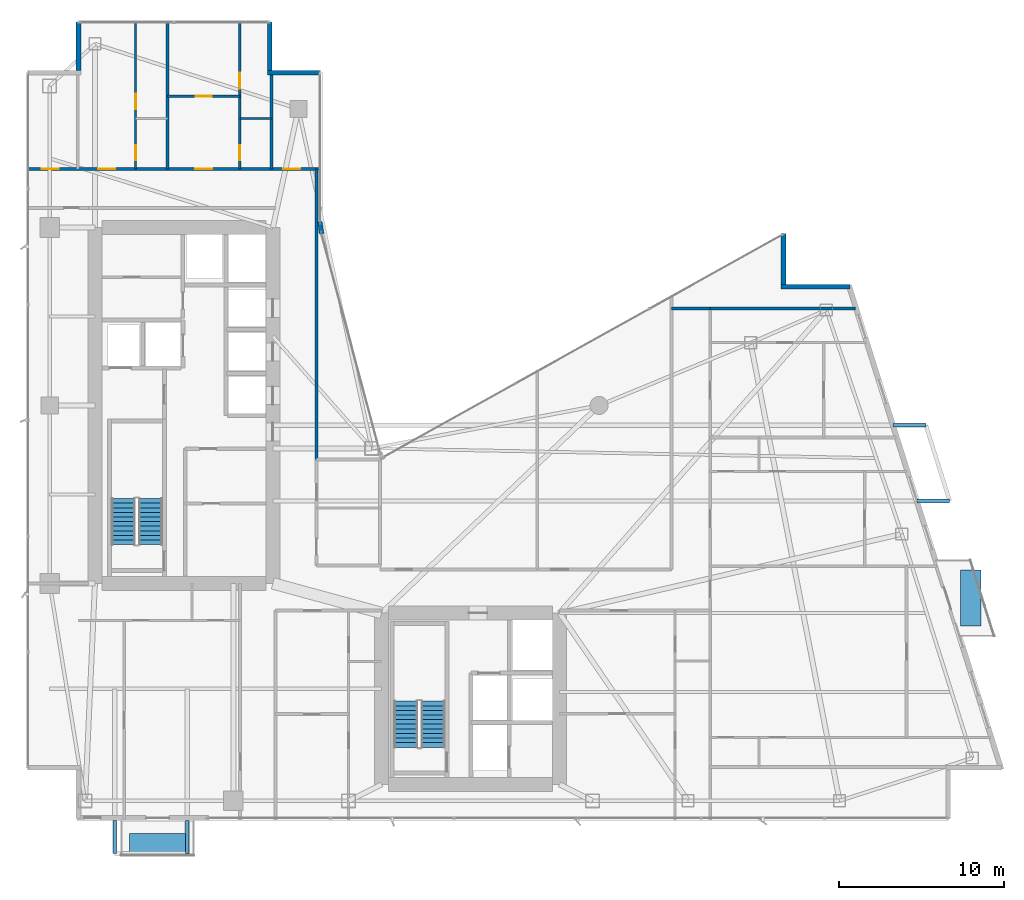
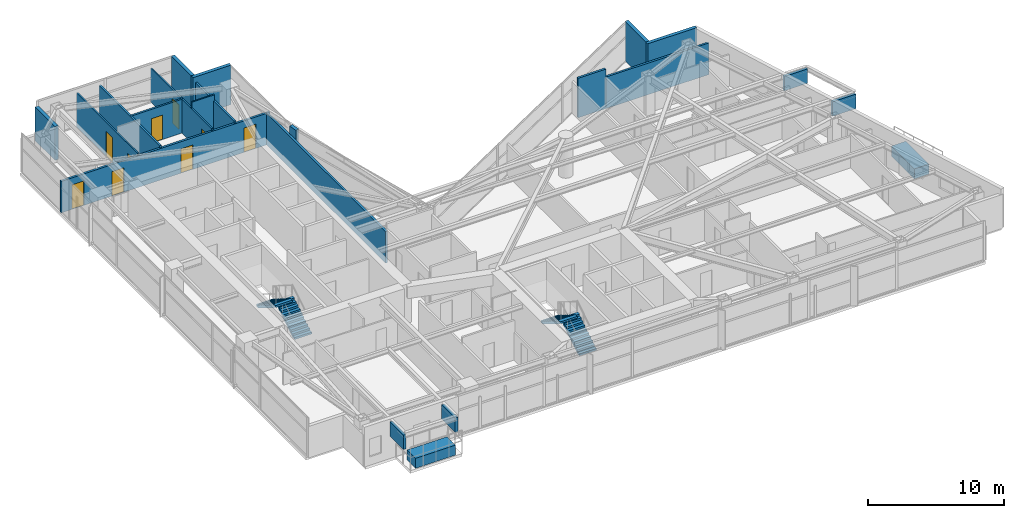
# One storey, part 25 of 28: 16 walls, 9 doors, 6 discrete accessories, 4 stair flights, 9 openings, 2 elements without a shape of their own.
"""IFC4 building model written with IfcOpenShell, lengths in metres."""

from ifc_helpers import new_model, si_unit, direction, frame, frame_2d, origin, origin_2d, place, context, subcontext, project, spatial, polyline, rectangle, outline, extrude, material, layer, layer_set, type_object, element, fill, aggregate, save


model = new_model("IFC4")

# Units and contexts
model_context = context("Model", 3, precision=1e-05, world=origin(), true_north=direction((0.0, 1.0)))
body_context = subcontext(model_context, "Body", "Model", "MODEL_VIEW")
ifc_project = project(units=[si_unit("LENGTHUNIT", "METRE"), si_unit("AREAUNIT", "SQUARE_METRE"), si_unit("VOLUMEUNIT", "CUBIC_METRE"), si_unit("PLANEANGLEUNIT", "RADIAN"), si_unit("MASSUNIT", "GRAM", prefix="KILO")], contexts=[model_context])

# Site, building, storey
site_placement = place(None, origin())
site = spatial("IfcSite", under=ifc_project, at=site_placement, CompositionType="ELEMENT")
building_placement = place(site_placement, origin())
building = spatial("IfcBuilding", under=site, at=building_placement, Name="Calvorn Quay Hotel", CompositionType="ELEMENT")
storey_placement = place(building_placement, frame((0.0, 0.0, 131.60009765625)))
storey = spatial("IfcBuildingStorey", under=building, at=storey_placement, Name="L32", CompositionType="ELEMENT", Elevation=131.60009765625)

# Wall, openings, doors
ifc_material_1 = material(Name="Acoustic Fireboard Steel-Stud Partition", Category="steel")
ifc_layer_1 = layer(ifc_material_1, 0.179931640625)
ifc_layer_set_1 = layer_set([ifc_layer_1], Name="WL-CORR-FIRE-180")
wall_type_1 = type_object("IfcWallType", Name="WL-CORR-FIRE-180", PredefinedType="PARTITIONING", material=ifc_layer_set_1)
wall_1_placement = place(storey_placement, frame((0.080078125, 41.949951171875, 0.0), z_axis=(0.0, 0.0, 1.0), x_axis=(1.0, 0.0, 0.0)))
wall_1 = element("IfcWall", 1, at=wall_1_placement, inside=storey, type_object=wall_type_1, Name="Partition Wall L32-WL-CORR-NW-N", PredefinedType="PARTITIONING", context=body_context, shape_type="SweptSolid", body=[
    extrude(rectangle(XDim=17.77001953125, YDim=0.179931640625, at=frame_2d((8.885009765625, 0.0))), origin(), (0.0, 0.0, 1.0), 2.83984375),
])
opening_1_placement = place(wall_1_placement, frame((0.89990234375, 0.0, 0.0)))
opening_1 = element("IfcOpeningElement", 2, at=opening_1_placement, cuts=wall_1, Name="Opening D-L32-NWW", PredefinedType="OPENING", context=body_context, shape_type="SweptSolid", body=[
    extrude(rectangle(XDim=1.02001953125, YDim=2.199951171875, at=frame_2d((0.510009765625, 1.10009765625))), frame((0.0, 0.099853515625, 0.0), z_axis=(0.0, -1.0, 0.0), x_axis=(1.0, 0.0, 0.0)), (0.0, 0.0, 1.0), 0.199951171875),
])
opening_2_placement = place(wall_1_placement, frame((4.320068359375, 0.0, 0.0)))
opening_2 = element("IfcOpeningElement", 3, at=opening_2_placement, cuts=wall_1, Name="Opening D-L32-U03", PredefinedType="OPENING", context=body_context, shape_type="SweptSolid", body=[
    extrude(rectangle(XDim=1.02001953125, YDim=2.199951171875, at=frame_2d((0.510009765625, 1.10009765625))), frame((0.0, 0.099853515625, 0.0), z_axis=(0.0, -1.0, 0.0), x_axis=(1.0, 0.0, 0.0)), (0.0, 0.0, 1.0), 0.199951171875),
])
opening_3_placement = place(wall_1_placement, frame((10.2099609375, 0.0, 0.0)))
opening_3 = element("IfcOpeningElement", 4, at=opening_3_placement, cuts=wall_1, Name="Opening D-L32-U04", PredefinedType="OPENING", context=body_context, shape_type="SweptSolid", body=[
    extrude(rectangle(XDim=1.02001953125, YDim=2.199951171875, at=frame_2d((0.510009765625, 1.10009765625))), frame((0.0, 0.099853515625, 0.0), z_axis=(0.0, -1.0, 0.0), x_axis=(1.0, 0.0, 0.0)), (0.0, 0.0, 1.0), 0.199951171875),
])
opening_4_placement = place(wall_1_placement, frame((15.550048828125, 0.0, 0.0)))
opening_4 = element("IfcOpeningElement", 5, at=opening_4_placement, cuts=wall_1, Name="Opening D-L32-NWE", PredefinedType="OPENING", context=body_context, shape_type="SweptSolid", body=[
    extrude(rectangle(XDim=1.02001953125, YDim=2.199951171875, at=frame_2d((0.510009765625, 1.10009765625))), frame((0.0, 0.099853515625, 0.0), z_axis=(0.0, -1.0, 0.0), x_axis=(1.0, 0.0, 0.0)), (0.0, 0.0, 1.0), 0.199951171875),
])
ifc_material_2 = material(Name="Solid-Core Walnut Veneer Hotel Fire Door")
door_type_1 = type_object("IfcDoorType", Name="DR-GUEST-ENTRY-1020", OperationType="NOTDEFINED", PredefinedType="DOOR", material=ifc_material_2)
door_1_placement = place(opening_1_placement, origin())
door_1 = element("IfcDoor", 6, at=door_1_placement, inside=storey, type_object=door_type_1, Name="West Corner Study Door (L32)", OperationType="SINGLE_SWING_LEFT", OverallHeight=2.199951171875, OverallWidth=1.02001953125, PredefinedType="DOOR", context=body_context, shape_type="SweptSolid", body=[
    extrude(rectangle(XDim=1.02001953125, YDim=2.199951171875, at=frame_2d((0.510009765625, 1.10009765625))), frame((0.0, 0.02490234375, 0.0), z_axis=(0.0, -1.0, 0.0), x_axis=(1.0, 0.0, 0.0)), (0.0, 0.0, 1.0), 0.050048828125),
])
fill(opening_1, door_1)
door_2_placement = place(opening_2_placement, origin())
door_2 = element("IfcDoor", 7, at=door_2_placement, inside=storey, type_object=door_type_1, Name="North-West Unit Door U03 (L32)", OperationType="SINGLE_SWING_RIGHT", OverallHeight=2.199951171875, OverallWidth=1.02001953125, PredefinedType="DOOR", context=body_context, shape_type="SweptSolid", body=[
    extrude(rectangle(XDim=1.02001953125, YDim=2.199951171875, at=frame_2d((0.510009765625, 1.10009765625))), frame((0.0, 0.02490234375, 0.0), z_axis=(0.0, -1.0, 0.0), x_axis=(1.0, 0.0, 0.0)), (0.0, 0.0, 1.0), 0.050048828125),
])
fill(opening_2, door_2)
door_3_placement = place(opening_3_placement, origin())
door_3 = element("IfcDoor", 8, at=door_3_placement, inside=storey, type_object=door_type_1, Name="North-West Unit Door U04 (L32)", OperationType="SINGLE_SWING_LEFT", OverallHeight=2.199951171875, OverallWidth=1.02001953125, PredefinedType="DOOR", context=body_context, shape_type="SweptSolid", body=[
    extrude(rectangle(XDim=1.02001953125, YDim=2.199951171875, at=frame_2d((0.510009765625, 1.10009765625))), frame((0.0, 0.02490234375, 0.0), z_axis=(0.0, -1.0, 0.0), x_axis=(1.0, 0.0, 0.0)), (0.0, 0.0, 1.0), 0.050048828125),
])
fill(opening_3, door_3)
door_4_placement = place(opening_4_placement, origin())
door_4 = element("IfcDoor", 9, at=door_4_placement, inside=storey, type_object=door_type_1, Name="Inner Court Study Door (L32)", OperationType="SINGLE_SWING_RIGHT", OverallHeight=2.199951171875, OverallWidth=1.02001953125, PredefinedType="DOOR", context=body_context, shape_type="SweptSolid", body=[
    extrude(rectangle(XDim=1.02001953125, YDim=2.199951171875, at=frame_2d((0.510009765625, 1.10009765625))), frame((0.0, 0.02490234375, 0.0), z_axis=(0.0, -1.0, 0.0), x_axis=(1.0, 0.0, 0.0)), (0.0, 0.0, 1.0), 0.050048828125),
])
fill(opening_4, door_4)

# Walls
wall_2_placement = place(storey_placement, frame((17.64990234375, 24.300048828125, 0.0), z_axis=(0.0, 0.0, 1.0), x_axis=(0.0, 1.0, 0.0)))
element("IfcWall", 10, at=wall_2_placement, inside=storey, type_object=wall_type_1, Name="Partition Wall L32-WL-NW-CLOSURE-E", PredefinedType="PARTITIONING", context=body_context, shape_type="SweptSolid", body=[
    extrude(rectangle(XDim=17.64990234375, YDim=0.179931640625, at=frame_2d((8.824951171875, 0.0))), origin(), (0.0, 0.0, 1.0), 2.83984375),
])
wall_3_placement = place(storey_placement, frame((41.550048828125, 33.47998046875, 0.0), z_axis=(0.0, 0.0, 1.0), x_axis=(1.0, 0.0, 0.0)))
element("IfcWall", 11, at=wall_3_placement, inside=storey, type_object=wall_type_1, Name="Partition Wall L32-WL-TIP-N", PredefinedType="PARTITIONING", context=body_context, shape_type="SweptSolid", body=[
    extrude(rectangle(XDim=8.81005859375, YDim=0.179931640625, at=frame_2d((4.405029296875, 0.0))), origin(), (0.0, 0.0, 1.0), 2.83984375),
])
wall_4_placement = place(storey_placement, frame((39.199951171875, 33.47998046875, 0.0), z_axis=(0.0, 0.0, 1.0), x_axis=(1.0, 0.0, 0.0)))
element("IfcWall", 12, at=wall_4_placement, inside=storey, type_object=wall_type_1, Name="Partition Wall L32-WL-CORR-TIP-NN", PredefinedType="PARTITIONING", context=body_context, shape_type="SweptSolid", body=[
    extrude(rectangle(XDim=2.35009765625, YDim=0.179931640625, at=frame_2d((1.175048828125, 0.0))), origin(), (0.0, 0.0, 1.0), 3.559814453125),
])

# Wall, openings, doors
ifc_material_3 = material(Name="Moisture-Resistant Tile-Backed Partition")
ifc_layer_2 = layer(ifc_material_3, 0.125)
ifc_layer_set_2 = layer_set([ifc_layer_2], Name="WL-ENSUITE-125")
wall_type_2 = type_object("IfcWallType", Name="WL-ENSUITE-125", PredefinedType="PARTITIONING", material=ifc_layer_set_2)
wall_5_placement = place(storey_placement, frame((6.669921875, 41.949951171875, 0.0), z_axis=(0.0, 0.0, 1.0), x_axis=(0.0, 1.0, 0.0)))
wall_5 = element("IfcWall", 13, at=wall_5_placement, inside=storey, type_object=wall_type_2, Name="Partition Wall L32-WL-U03-BV", PredefinedType="PARTITIONING", context=body_context, shape_type="SweptSolid", body=[
    extrude(rectangle(XDim=8.989990234375, YDim=0.125, at=frame_2d((4.4951171875, 0.0))), origin(), (0.0, 0.0, 1.0), 3.039794921875),
])
opening_5_placement = place(wall_5_placement, frame((0.550048828125, 0.0, 0.0)))
opening_5 = element("IfcOpeningElement", 14, at=opening_5_placement, cuts=wall_5, Name="Opening D-L32-E03", PredefinedType="OPENING", context=body_context, shape_type="SweptSolid", body=[
    extrude(rectangle(XDim=0.89990234375, YDim=2.14990234375, at=frame_2d((0.449951171875, 1.074951171875))), frame((0.0, 0.072509765625, 0.0), z_axis=(0.0, -1.0, 0.0), x_axis=(1.0, 0.0, 0.0)), (0.0, 0.0, 1.0), 0.14501953125),
])
opening_6_placement = place(wall_5_placement, frame((3.6201171875, 0.0, 0.0)))
opening_6 = element("IfcOpeningElement", 15, at=opening_6_placement, cuts=wall_5, Name="Opening D-L32-S03", PredefinedType="OPENING", context=body_context, shape_type="SweptSolid", body=[
    extrude(rectangle(XDim=0.9599609375, YDim=2.199951171875, at=frame_2d((0.47998046875, 1.10009765625))), frame((0.0, 0.072509765625, 0.0), z_axis=(0.0, -1.0, 0.0), x_axis=(1.0, 0.0, 0.0)), (0.0, 0.0, 1.0), 0.14501953125),
])
ifc_material_4 = material(Name="Moisture-Sealed Timber En-Suite Door", Category="wood")
door_type_2 = type_object("IfcDoorType", Name="DR-ENSUITE-900", OperationType="NOTDEFINED", PredefinedType="DOOR", material=ifc_material_4)
door_5_placement = place(opening_5_placement, origin())
door_5 = element("IfcDoor", 16, at=door_5_placement, inside=storey, type_object=door_type_2, Name="En-Suite Door 03", OperationType="SINGLE_SWING_LEFT", OverallHeight=2.14990234375, OverallWidth=0.89990234375, PredefinedType="DOOR", context=body_context, shape_type="SweptSolid", body=[
    extrude(rectangle(XDim=0.89990234375, YDim=2.14990234375, at=frame_2d((0.449951171875, 1.074951171875))), frame((0.0, 0.02490234375, 0.0), z_axis=(0.0, -1.0, 0.0), x_axis=(1.0, 0.0, 0.0)), (0.0, 0.0, 1.0), 0.050048828125),
])
fill(opening_5, door_5)
ifc_material_5 = material(Name="Solid Timber Internal Suite Door", Category="wood")
door_type_3 = type_object("IfcDoorType", Name="DR-SUITE-INT-960", OperationType="NOTDEFINED", PredefinedType="DOOR", material=ifc_material_5)
door_6_placement = place(opening_6_placement, origin())
door_6 = element("IfcDoor", 17, at=door_6_placement, inside=storey, type_object=door_type_3, Name="Walk-In Wardrobe Door 03", OperationType="SINGLE_SWING_RIGHT", OverallHeight=2.199951171875, OverallWidth=0.9599609375, PredefinedType="DOOR", context=body_context, shape_type="SweptSolid", body=[
    extrude(rectangle(XDim=0.9599609375, YDim=2.199951171875, at=frame_2d((0.47998046875, 1.10009765625))), frame((0.0, 0.02490234375, 0.0), z_axis=(0.0, -1.0, 0.0), x_axis=(1.0, 0.0, 0.0)), (0.0, 0.0, 1.0), 0.050048828125),
])
fill(opening_6, door_6)

# Wall
wall_6_placement = place(storey_placement, frame((12.989990234375, 45.02001953125, 0.0), z_axis=(0.0, 0.0, 1.0), x_axis=(1.0, 0.0, 0.0)))
element("IfcWall", 18, at=wall_6_placement, inside=storey, type_object=wall_type_2, Name="Partition Wall L32-WL-U04-BDV", PredefinedType="PARTITIONING", context=body_context, shape_type="SweptSolid", body=[
    extrude(rectangle(XDim=1.929931640625, YDim=0.125, at=frame_2d((0.96484375, 0.0))), origin(), (0.0, 0.0, 1.0), 3.559814453125),
])

# Wall, openings, doors
wall_7_placement = place(storey_placement, frame((12.989990234375, 41.949951171875, 0.0), z_axis=(0.0, 0.0, 1.0), x_axis=(0.0, 1.0, 0.0)))
wall_7 = element("IfcWall", 19, at=wall_7_placement, inside=storey, type_object=wall_type_2, Name="Partition Wall L32-WL-U04-BV", PredefinedType="PARTITIONING", context=body_context, shape_type="SweptSolid", body=[
    extrude(rectangle(XDim=8.989990234375, YDim=0.125, at=frame_2d((4.4951171875, 0.0))), origin(), (0.0, 0.0, 1.0), 3.039794921875),
])
opening_7_placement = place(wall_7_placement, frame((0.550048828125, 0.0, 0.0)))
opening_7 = element("IfcOpeningElement", 20, at=opening_7_placement, cuts=wall_7, Name="Opening D-L32-E04", PredefinedType="OPENING", context=body_context, shape_type="SweptSolid", body=[
    extrude(rectangle(XDim=0.89990234375, YDim=2.14990234375, at=frame_2d((0.449951171875, 1.074951171875))), frame((0.0, 0.072509765625, 0.0), z_axis=(0.0, -1.0, 0.0), x_axis=(1.0, 0.0, 0.0)), (0.0, 0.0, 1.0), 0.14501953125),
])
opening_8_placement = place(wall_7_placement, frame((4.8798828125, 0.0, 0.0)))
opening_8 = element("IfcOpeningElement", 21, at=opening_8_placement, cuts=wall_7, Name="Opening D-L32-S04", PredefinedType="OPENING", context=body_context, shape_type="SweptSolid", body=[
    extrude(rectangle(XDim=0.9599609375, YDim=2.199951171875, at=frame_2d((0.47998046875, 1.10009765625))), frame((0.0, 0.072509765625, 0.0), z_axis=(0.0, -1.0, 0.0), x_axis=(1.0, 0.0, 0.0)), (0.0, 0.0, 1.0), 0.14501953125),
])
door_7_placement = place(opening_7_placement, origin())
door_7 = element("IfcDoor", 22, at=door_7_placement, inside=storey, type_object=door_type_2, Name="En-Suite Door 04", OperationType="SINGLE_SWING_LEFT", OverallHeight=2.14990234375, OverallWidth=0.89990234375, PredefinedType="DOOR", context=body_context, shape_type="SweptSolid", body=[
    extrude(rectangle(XDim=0.89990234375, YDim=2.14990234375, at=frame_2d((0.449951171875, 1.074951171875))), frame((0.0, 0.02490234375, 0.0), z_axis=(0.0, -1.0, 0.0), x_axis=(1.0, 0.0, 0.0)), (0.0, 0.0, 1.0), 0.050048828125),
])
fill(opening_7, door_7)
door_8_placement = place(opening_8_placement, origin())
door_8 = element("IfcDoor", 23, at=door_8_placement, inside=storey, type_object=door_type_3, Name="Walk-In Wardrobe Door 04", OperationType="SINGLE_SWING_RIGHT", OverallHeight=2.199951171875, OverallWidth=0.9599609375, PredefinedType="DOOR", context=body_context, shape_type="SweptSolid", body=[
    extrude(rectangle(XDim=0.9599609375, YDim=2.199951171875, at=frame_2d((0.47998046875, 1.10009765625))), frame((0.0, 0.02490234375, 0.0), z_axis=(0.0, -1.0, 0.0), x_axis=(1.0, 0.0, 0.0)), (0.0, 0.0, 1.0), 0.050048828125),
])
fill(opening_8, door_8)

# Walls
ifc_material_6 = material(Name="Concrete C40", Category="concrete")
ifc_layer_3 = layer(ifc_material_6, 0.320068359375)
ifc_layer_set_3 = layer_set([ifc_layer_3], Name="WL-EXT-SPANDREL-320")
wall_type_3 = type_object("IfcWallType", Name="WL-EXT-SPANDREL-320", PredefinedType="SOLIDWALL", material=ifc_layer_set_3)
wall_8_placement = place(storey_placement, frame((17.9619140625, 38.030029296875, 0.0), z_axis=(0.0, 0.0, 1.0), x_axis=(-0.15141125477, 0.988470855377, 0.0)))
element("IfcWall", 24, at=wall_8_placement, inside=storey, type_object=wall_type_3, Name="Inner Court Corner Pier L32-ICJ2", PredefinedType="SOLIDWALL", context=body_context, shape_type="SweptSolid", body=[
    extrude(rectangle(XDim=0.738525390625, YDim=0.280029296875, at=frame_2d((0.369140625, 0.0))), origin(), (0.0, 0.0, 1.0), 3.559814453125),
])
wall_9_placement = place(storey_placement, frame((50.0400390625, 34.800048828125, 0.0), z_axis=(0.0, 0.0, 1.0), x_axis=(-1.0, 0.0, 0.0)))
element("IfcWall", 25, at=wall_9_placement, inside=storey, type_object=wall_type_3, Name="Notched Corner Spandrel L32-NE1", PredefinedType="SOLIDWALL", context=body_context, shape_type="SweptSolid", body=[
    extrude(rectangle(XDim=4.179931640625, YDim=0.280029296875, at=frame_2d((2.08984375, 0.0))), origin(), (0.0, 0.0, 1.0), 3.559814453125),
])
wall_10_placement = place(storey_placement, frame((46.0, 34.93994140625, 0.0), z_axis=(0.0, 0.0, 1.0), x_axis=(0.0, 1.0, 0.0)))
element("IfcWall", 26, at=wall_10_placement, inside=storey, type_object=wall_type_3, Name="Notched Corner Spandrel L32-NE2", PredefinedType="SOLIDWALL", context=body_context, shape_type="SweptSolid", body=[
    extrude(rectangle(XDim=3.10009765625, YDim=0.280029296875, at=frame_2d((1.550048828125, 0.0))), origin(), (0.0, 0.0, 1.0), 3.559814453125),
])
wall_11_placement = place(storey_placement, frame((17.89990234375, 47.800048828125, 0.0), z_axis=(0.0, 0.0, 1.0), x_axis=(-1.0, 0.0, 0.0)))
element("IfcWall", 27, at=wall_11_placement, inside=storey, type_object=wall_type_3, Name="Notched Corner Spandrel L32-NWE1", PredefinedType="SOLIDWALL", context=body_context, shape_type="SweptSolid", body=[
    extrude(rectangle(XDim=3.239990234375, YDim=0.280029296875, at=frame_2d((1.6201171875, 0.0))), origin(), (0.0, 0.0, 1.0), 3.559814453125),
])
wall_12_placement = place(storey_placement, frame((14.800048828125, 47.93994140625, 0.0), z_axis=(0.0, 0.0, 1.0), x_axis=(0.0, 1.0, 0.0)))
element("IfcWall", 28, at=wall_12_placement, inside=storey, type_object=wall_type_3, Name="Notched Corner Spandrel L32-NWE2", PredefinedType="SOLIDWALL", context=body_context, shape_type="SweptSolid", body=[
    extrude(rectangle(XDim=2.93994140625, YDim=0.280029296875, at=frame_2d((1.469970703125, 0.0))), origin(), (0.0, 0.0, 1.0), 3.559814453125),
])
wall_13_placement = place(storey_placement, frame((3.199951171875, 50.8798828125, 0.0), z_axis=(0.0, 0.0, 1.0), x_axis=(0.0, -1.0, 0.0)))
element("IfcWall", 29, at=wall_13_placement, inside=storey, type_object=wall_type_3, Name="Notched Corner Spandrel L32-NW1", PredefinedType="SOLIDWALL", context=body_context, shape_type="SweptSolid", body=[
    extrude(rectangle(XDim=2.93994140625, YDim=0.280029296875, at=frame_2d((1.469970703125, 0.0))), origin(), (0.0, 0.0, 1.0), 3.039794921875),
])
ifc_material_7 = material(Name="Double-Stud Acoustic Gypsum Partition")
ifc_layer_4 = layer(ifc_material_7, 0.159912109375)
ifc_layer_set_4 = layer_set([ifc_layer_4], Name="WL-INTERSUITE-160")
wall_type_4 = type_object("IfcWallType", Name="WL-INTERSUITE-160", PredefinedType="PARTITIONING", material=ifc_layer_set_4)
wall_14_placement = place(storey_placement, frame((14.919921875, 41.949951171875, 0.0), z_axis=(0.0, 0.0, 1.0), x_axis=(0.0, 1.0, 0.0)))
element("IfcWall", 30, at=wall_14_placement, inside=storey, type_object=wall_type_4, Name="Partition Wall L32-WL-NW-DIV-E0", PredefinedType="PARTITIONING", context=body_context, shape_type="SweptSolid", body=[
    extrude(rectangle(XDim=5.85009765625, YDim=0.159912109375, at=frame_2d((2.925048828125, 0.0))), origin(), (0.0, 0.0, 1.0), 3.039794921875),
])

# Wall, opening, door
wall_15_placement = place(storey_placement, frame((8.60009765625, 46.3798828125, 0.0), z_axis=(0.0, 0.0, 1.0), x_axis=(1.0, 0.0, 0.0)))
wall_15 = element("IfcWall", 31, at=wall_15_placement, inside=storey, type_object=wall_type_4, Name="Partition Wall L32-WL-U04-MSP", PredefinedType="PARTITIONING", context=body_context, shape_type="SweptSolid", body=[
    extrude(rectangle(XDim=4.389892578125, YDim=0.159912109375, at=frame_2d((2.19482421875, 0.0))), origin(), (0.0, 0.0, 1.0), 3.039794921875),
])
opening_9_placement = place(wall_15_placement, frame((1.719970703125, 0.0, 0.0)))
opening_9 = element("IfcOpeningElement", 32, at=opening_9_placement, cuts=wall_15, Name="Opening D-L32-M04", PredefinedType="OPENING", context=body_context, shape_type="SweptSolid", body=[
    extrude(rectangle(XDim=0.9599609375, YDim=2.199951171875, at=frame_2d((0.47998046875, 1.10009765625))), frame((0.0, 0.08984375, 0.0), z_axis=(0.0, -1.0, 0.0), x_axis=(1.0, 0.0, 0.0)), (0.0, 0.0, 1.0), 0.179931640625),
])
door_9_placement = place(opening_9_placement, origin())
door_9 = element("IfcDoor", 33, at=door_9_placement, inside=storey, type_object=door_type_3, Name="Suite Bedroom Door 04", OperationType="SINGLE_SWING_LEFT", OverallHeight=2.199951171875, OverallWidth=0.9599609375, PredefinedType="DOOR", context=body_context, shape_type="SweptSolid", body=[
    extrude(rectangle(XDim=0.9599609375, YDim=2.199951171875, at=frame_2d((0.47998046875, 1.10009765625))), frame((0.0, 0.02490234375, 0.0), z_axis=(0.0, -1.0, 0.0), x_axis=(1.0, 0.0, 0.0)), (0.0, 0.0, 1.0), 0.050048828125),
])
fill(opening_9, door_9)

# Wall
wall_16_placement = place(storey_placement, frame((8.60009765625, 41.949951171875, 0.0), z_axis=(0.0, 0.0, 1.0), x_axis=(0.0, 1.0, 0.0)))
element("IfcWall", 34, at=wall_16_placement, inside=storey, type_object=wall_type_4, Name="Partition Wall L32-WL-NW-DIV-1", PredefinedType="PARTITIONING", context=body_context, shape_type="SweptSolid", body=[
    extrude(rectangle(XDim=8.989990234375, YDim=0.159912109375, at=frame_2d((4.4951171875, 0.0))), origin(), (0.0, 0.0, 1.0), 3.039794921875),
])

# Stair, stair flights
ifc_material_8 = material(Name="Concrete C40", Category="concrete")
stair_type = type_object("IfcStairType", Name="STR-CORE-DOGLEG", PredefinedType="HALF_TURN_STAIR", material=ifc_material_8)
stair_1_placement = place(storey_placement, origin())
stair_1 = element("IfcStair", 35, at=stair_1_placement, inside=storey, type_object=stair_type, Name="L32 ST-W", PredefinedType="HALF_TURN_STAIR")
ifc_material_9 = material(Name="Concrete C40", Category="concrete")
stair_flight_type = type_object("IfcStairFlightType", Name="FLT-CORE-1550", PredefinedType="STRAIGHT", material=ifc_material_9)
stair_flight_1_placement = place(storey_placement, frame((7.574951171875, 19.14990234375, 0.0), z_axis=(0.0, 0.0, 1.0), x_axis=(0.0, 1.0, 0.0)))
stair_flight_1 = element("IfcStairFlight", 36, at=stair_flight_1_placement, type_object=stair_flight_type, Name="ST-W flight 1", NumberOfRisers=11, NumberOfTreads=10, PredefinedType="STRAIGHT", RiserHeight=0.172727273, TreadLength=0.28, context=body_context, shape_type="SweptSolid", body=[
    extrude(outline(polyline([(0.0, 0.0), (0.0, 0.172607421875), (0.280029296875, 0.172607421875), (0.280029296875, 0.345458984375), (0.56005859375, 0.345458984375), (0.56005859375, 0.51806640625), (0.840087890625, 0.51806640625), (0.840087890625, 0.69091796875), (1.1201171875, 0.69091796875), (1.1201171875, 0.863525390625), (1.39990234375, 0.863525390625), (1.39990234375, 1.036376953125), (1.679931640625, 1.036376953125), (1.679931640625, 1.208984375), (1.9599609375, 1.208984375), (1.9599609375, 1.3818359375), (2.239990234375, 1.3818359375), (2.239990234375, 1.554443359375), (2.52001953125, 1.554443359375), (2.52001953125, 1.727294921875), (2.800048828125, 1.727294921875), (2.800048828125, 1.89990234375), (2.800048828125, 1.551025390625), (0.285400390625, 0.0), (0.0, 0.0)])), frame((0.0, 0.72509765625, 0.0), z_axis=(0.0, -1.0, 0.0), x_axis=(1.0, 0.0, 0.0)), (0.0, 0.0, 1.0), 1.449951171875),
])
stair_flight_2_placement = place(storey_placement, frame((5.925048828125, 21.949951171875, 1.89990234375), z_axis=(0.0, 0.0, 1.0), x_axis=(0.0, -1.0, 0.0)))
stair_flight_2 = element("IfcStairFlight", 37, at=stair_flight_2_placement, type_object=stair_flight_type, Name="ST-W flight 2", NumberOfRisers=11, NumberOfTreads=10, PredefinedType="STRAIGHT", RiserHeight=0.172727273, TreadLength=0.28, context=body_context, shape_type="SweptSolid", body=[
    extrude(outline(polyline([(0.0, 0.0), (0.0, 0.172607421875), (0.280029296875, 0.172607421875), (0.280029296875, 0.345458984375), (0.56005859375, 0.345458984375), (0.56005859375, 0.51806640625), (0.840087890625, 0.51806640625), (0.840087890625, 0.69091796875), (1.1201171875, 0.69091796875), (1.1201171875, 0.863525390625), (1.39990234375, 0.863525390625), (1.39990234375, 1.036376953125), (1.679931640625, 1.036376953125), (1.679931640625, 1.208984375), (1.9599609375, 1.208984375), (1.9599609375, 1.3818359375), (2.239990234375, 1.3818359375), (2.239990234375, 1.554443359375), (2.52001953125, 1.554443359375), (2.52001953125, 1.727294921875), (2.800048828125, 1.727294921875), (2.800048828125, 1.89990234375), (2.800048828125, 1.551025390625), (0.285400390625, 0.0), (0.0, 0.0)])), frame((0.0, 0.72509765625, 0.0), z_axis=(0.0, -1.0, 0.0), x_axis=(1.0, 0.0, 0.0)), (0.0, 0.0, 1.0), 1.449951171875),
])
aggregate(stair_1, [stair_flight_1, stair_flight_2])

stair_2_placement = place(storey_placement, origin())
stair_2 = element("IfcStair", 38, at=stair_2_placement, inside=storey, type_object=stair_type, Name="L32 ST-E", PredefinedType="HALF_TURN_STAIR")
stair_flight_3_placement = place(storey_placement, frame((24.72509765625, 6.85009765625, 0.0), z_axis=(0.0, 0.0, 1.0), x_axis=(0.0, 1.0, 0.0)))
stair_flight_3 = element("IfcStairFlight", 39, at=stair_flight_3_placement, type_object=stair_flight_type, Name="ST-E flight 1", NumberOfRisers=11, NumberOfTreads=10, PredefinedType="STRAIGHT", RiserHeight=0.172727273, TreadLength=0.28, context=body_context, shape_type="SweptSolid", body=[
    extrude(outline(polyline([(0.0, 0.0), (0.0, 0.172607421875), (0.280029296875, 0.172607421875), (0.280029296875, 0.345458984375), (0.56005859375, 0.345458984375), (0.56005859375, 0.51806640625), (0.840087890625, 0.51806640625), (0.840087890625, 0.69091796875), (1.1201171875, 0.69091796875), (1.1201171875, 0.863525390625), (1.39990234375, 0.863525390625), (1.39990234375, 1.036376953125), (1.679931640625, 1.036376953125), (1.679931640625, 1.208984375), (1.9599609375, 1.208984375), (1.9599609375, 1.3818359375), (2.239990234375, 1.3818359375), (2.239990234375, 1.554443359375), (2.52001953125, 1.554443359375), (2.52001953125, 1.727294921875), (2.800048828125, 1.727294921875), (2.800048828125, 1.89990234375), (2.800048828125, 1.551025390625), (0.285400390625, 0.0), (0.0, 0.0)])), frame((0.0, 0.72509765625, 0.0), z_axis=(0.0, -1.0, 0.0), x_axis=(1.0, 0.0, 0.0)), (0.0, 0.0, 1.0), 1.449951171875),
])
stair_flight_4_placement = place(storey_placement, frame((23.074951171875, 9.64990234375, 1.89990234375), z_axis=(0.0, 0.0, 1.0), x_axis=(0.0, -1.0, 0.0)))
stair_flight_4 = element("IfcStairFlight", 40, at=stair_flight_4_placement, type_object=stair_flight_type, Name="ST-E flight 2", NumberOfRisers=11, NumberOfTreads=10, PredefinedType="STRAIGHT", RiserHeight=0.172727273, TreadLength=0.28, context=body_context, shape_type="SweptSolid", body=[
    extrude(outline(polyline([(0.0, 0.0), (0.0, 0.172607421875), (0.280029296875, 0.172607421875), (0.280029296875, 0.345458984375), (0.56005859375, 0.345458984375), (0.56005859375, 0.51806640625), (0.840087890625, 0.51806640625), (0.840087890625, 0.69091796875), (1.1201171875, 0.69091796875), (1.1201171875, 0.863525390625), (1.39990234375, 0.863525390625), (1.39990234375, 1.036376953125), (1.679931640625, 1.036376953125), (1.679931640625, 1.208984375), (1.9599609375, 1.208984375), (1.9599609375, 1.3818359375), (2.239990234375, 1.3818359375), (2.239990234375, 1.554443359375), (2.52001953125, 1.554443359375), (2.52001953125, 1.727294921875), (2.800048828125, 1.727294921875), (2.800048828125, 1.89990234375), (2.800048828125, 1.551025390625), (0.285400390625, 0.0), (0.0, 0.0)])), frame((0.0, 0.72509765625, 0.0), z_axis=(0.0, -1.0, 0.0), x_axis=(1.0, 0.0, 0.0)), (0.0, 0.0, 1.0), 1.449951171875),
])
aggregate(stair_2, [stair_flight_3, stair_flight_4])

# Discrete accessories
ifc_material_10 = material(Name="Steel Q355B", Category="steel")
discrete_accessory_type_1 = type_object("IfcDiscreteAccessoryType", Name="ACC-BALC-STRUT", PredefinedType="BRACKET", material=ifc_material_10)
for number, where, z_axis, x_axis, name in (
    (41, (55.091064453125, 21.800048828125, 2.0146484375), (0.0, 0.0, 1.0), (1.0, 0.0, 0.0), "Exterior Balcony Steel Bracket L33-BALC-E-A"),
    (42, (53.64208984375, 26.39990234375, 2.0146484375), (0.0, 0.0, 1.0), (1.0, 0.0, 0.0), "Exterior Balcony Steel Bracket L33-BALC-E-B"),
):
    element("IfcDiscreteAccessory", number, at=place(storey_placement, frame(where, z_axis=z_axis, x_axis=x_axis)), inside=storey, type_object=discrete_accessory_type_1, Name=name, PredefinedType="BRACKET", context=body_context, shape_type="SweptSolid", body=[
        extrude(rectangle(XDim=1.989990234375, YDim=0.219970703125, at=origin_2d()), origin(), (0.0, 0.0, 1.0), 1.300048828125),
    ])
for number, where, z_axis, x_axis, name in (
    (43, (5.39990234375, 1.405029296875, 2.0146484375), (0.0, 0.0, 1.0), (1.0, 0.0, 0.0), "Exterior Balcony Steel Bracket L33-BALC-S-A"),
    (44, (9.800048828125, 1.405029296875, 2.0146484375), (0.0, 0.0, 1.0), (1.0, 0.0, 0.0), "Exterior Balcony Steel Bracket L33-BALC-S-B"),
):
    element("IfcDiscreteAccessory", number, at=place(storey_placement, frame(where, z_axis=z_axis, x_axis=x_axis)), inside=storey, type_object=discrete_accessory_type_1, Name=name, PredefinedType="BRACKET", context=body_context, shape_type="SweptSolid", body=[
        extrude(rectangle(XDim=0.219970703125, YDim=1.989990234375, at=origin_2d()), origin(), (0.0, 0.0, 1.0), 1.300048828125),
    ])
ifc_material_11 = material(Name="Precast concrete C40", Category="concrete")
discrete_accessory_type_2 = type_object("IfcDiscreteAccessoryType", Name="ACC-TREE-PLANTER", PredefinedType="USERDEFINED", material=ifc_material_11)
discrete_accessory_1_placement = place(storey_placement, frame((57.364013671875, 15.89990234375, 0.0), z_axis=(0.0, 0.0, 1.0), x_axis=(1.0, 0.0, 0.0)))
element("IfcDiscreteAccessory", 45, at=discrete_accessory_1_placement, inside=storey, type_object=discrete_accessory_type_2, Name="Subtropical Tree Structural Planter L32-BALC-E", ObjectType="PLANTER", PredefinedType="USERDEFINED", context=body_context, shape_type="SweptSolid", body=[
    extrude(rectangle(XDim=1.25, YDim=3.39990234375, at=origin_2d()), origin(), (0.0, 0.0, 1.0), 0.89990234375),
])
discrete_accessory_2_placement = place(storey_placement, frame((8.0, 0.989990234375, 0.0), z_axis=(0.0, 0.0, 1.0), x_axis=(1.0, 0.0, 0.0)))
element("IfcDiscreteAccessory", 46, at=discrete_accessory_2_placement, inside=storey, type_object=discrete_accessory_type_2, Name="Subtropical Tree Structural Planter L32-BALC-S", ObjectType="PLANTER", PredefinedType="USERDEFINED", context=body_context, shape_type="SweptSolid", body=[
    extrude(rectangle(XDim=3.39990234375, YDim=1.25, at=origin_2d()), origin(), (0.0, 0.0, 1.0), 0.89990234375),
])

save(model, "model.ifc")
